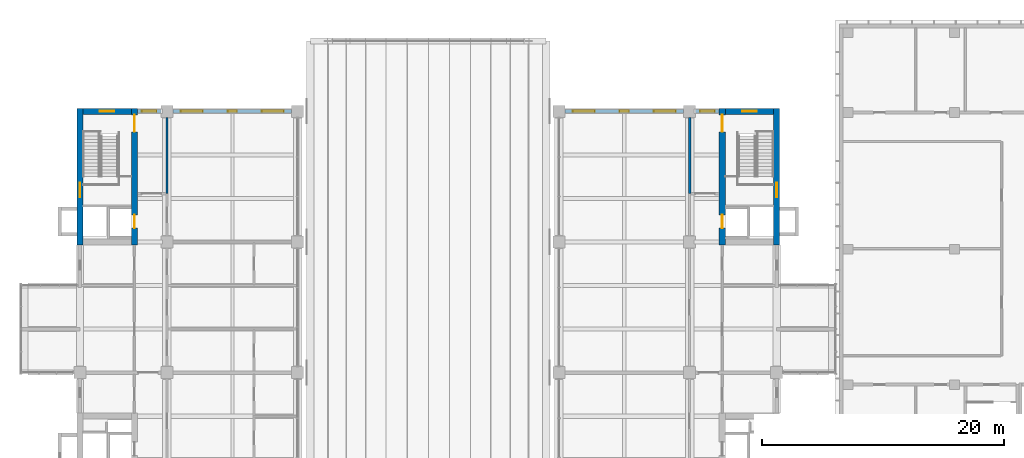
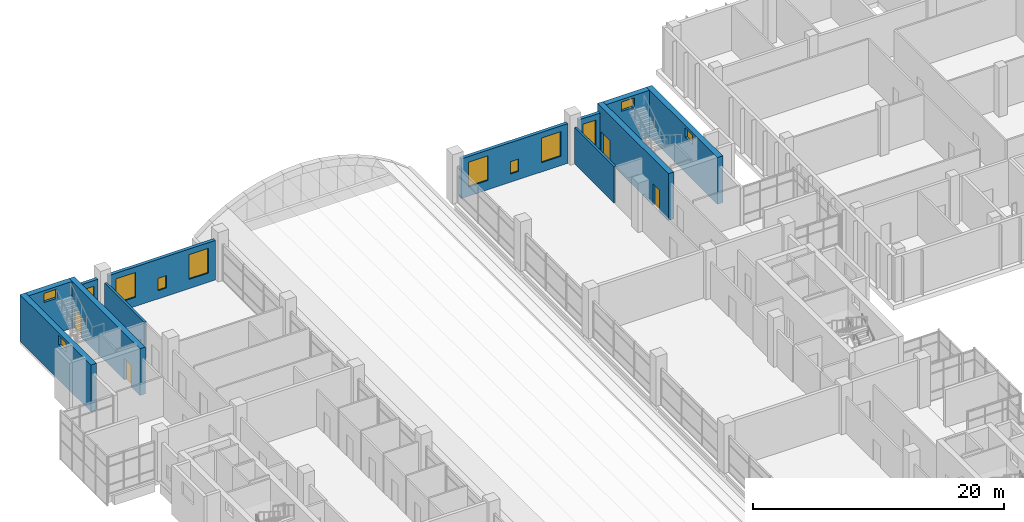
# One storey, part 37 of 45: 12 walls, 12 windows, 4 doors, 16 openings.
"""IFC4 building model written with IfcOpenShell, lengths in metres."""

from ifc_helpers import new_model, si_unit, direction, frame, frame_2d, origin, place, context, subcontext, project, spatial, rectangle, extrude, material, layer, layer_set, type_object, element, fill, save


model = new_model("IFC4")

# Units and contexts
model_context = context("Model", 3, precision=1e-05, world=origin(), true_north=direction((0.0, 1.0)))
body_context = subcontext(model_context, "Body", "Model", "MODEL_VIEW")
ifc_project = project(units=[si_unit("LENGTHUNIT", "METRE"), si_unit("AREAUNIT", "SQUARE_METRE"), si_unit("VOLUMEUNIT", "CUBIC_METRE"), si_unit("PLANEANGLEUNIT", "RADIAN"), si_unit("MASSUNIT", "GRAM", prefix="KILO")], contexts=[model_context])

# Site, building, storey
site_placement = place(None, origin())
site = spatial("IfcSite", under=ifc_project, at=site_placement, CompositionType="ELEMENT")
building_placement = place(site_placement, origin())
building = spatial("IfcBuilding", under=site, at=building_placement, Name="Basin Gate Institute", CompositionType="ELEMENT")
storey_placement = place(building_placement, frame((0.0, 0.0, 22.199951171875)))
storey = spatial("IfcBuildingStorey", under=building, at=storey_placement, Name="L04", CompositionType="ELEMENT", Elevation=22.199951171875)

# Walls
ifc_material_1 = material(Name="Fire-rated masonry", Category="masonry")
ifc_layer_1 = layer(ifc_material_1, 0.199951171875)
ifc_layer_set_1 = layer_set([ifc_layer_1], Name="Enclosure wall PW2 200 EI 60")
wall_type_1 = type_object("IfcWallType", Name="Enclosure wall PW2 200 EI 60", PredefinedType="PARTITIONING", material=ifc_layer_set_1)
for number, where, z_axis, x_axis, name in (
    (1, (68.39990234375, 93.10009765625, 0.0), (0.0, 0.0, 1.0), (0.0, 1.0, 0.0), "Smoke lobby enclosure wall PW2 L04"),
    (2, (111.60009765625, 93.10009765625, 0.0), (0.0, 0.0, 1.0), (0.0, 1.0, 0.0), "Smoke lobby enclosure wall PW2 L04"),
):
    element("IfcWall", number, at=place(storey_placement, frame(where, z_axis=z_axis, x_axis=x_axis)), inside=storey, type_object=wall_type_1, material=ifc_layer_set_1, Name=name, PredefinedType="PARTITIONING", context=body_context, shape_type="SweptSolid", body=[
        extrude(rectangle(XDim=6.2998046875, YDim=0.199951171875, at=frame_2d((3.14990234375, 0.0))), origin(), (0.0, 0.0, 1.0), 3.550048828125),
    ])

# Wall, opening, window
ifc_material_2 = material(Name="Aluminium-faced insulated panel wall", Category="aluminium")
ifc_layer_2 = layer(ifc_material_2, 0.300048828125)
ifc_layer_set_2 = layer_set([ifc_layer_2], Name="External wall EW1 EI 120")
wall_type_2 = type_object("IfcWallType", Name="External wall EW1 EI 120", PredefinedType="STANDARD", material=ifc_layer_set_2)
wall_1_placement = place(storey_placement, frame((65.949951171875, 99.89990234375, 0.0), z_axis=(0.0, 0.0, 1.0), x_axis=(1.0, 0.0, 0.0)))
wall_1 = element("IfcWall", 3, at=wall_1_placement, inside=storey, type_object=wall_type_2, material=ifc_layer_set_2, Name="External end wall W wing north L04 1", PredefinedType="STANDARD", context=body_context, shape_type="SweptSolid", body=[
    extrude(rectangle(XDim=1.949951171875, YDim=0.300048828125, at=frame_2d((0.97509765625, 0.0))), origin(), (0.0, 0.0, 1.0), 3.85009765625),
])
opening_1_placement = place(wall_1_placement, frame((0.375, 0.0, 0.89990234375)))
opening_1 = element("IfcOpeningElement", 4, at=opening_1_placement, cuts=wall_1, Name="Opening WN4", PredefinedType="OPENING", context=body_context, shape_type="SweptSolid", body=[
    extrude(rectangle(XDim=1.199951171875, YDim=2.39990234375, at=frame_2d((0.60009765625, 1.199951171875))), frame((0.0, 0.16015625, 0.0), z_axis=(0.0, -1.0, 0.0), x_axis=(1.0, 0.0, 0.0)), (0.0, 0.0, 1.0), 0.320068359375),
])
ifc_material_3 = material(Name="Aluminium-framed double glazing", Category="aluminium")
window_type_1 = type_object("IfcWindowType", Name="Corridor end window WN4", PartitioningType="SINGLE_PANEL", PredefinedType="WINDOW", material=ifc_material_3)
window_1_placement = place(opening_1_placement, origin())
window_1 = element("IfcWindow", 5, at=window_1_placement, inside=storey, type_object=window_type_1, material=ifc_material_3, Name="Corridor end window W wing N L04", OverallHeight=2.39990234375, OverallWidth=1.199951171875, PartitioningType="SINGLE_PANEL", PredefinedType="WINDOW", context=body_context, shape_type="SweptSolid", body=[
    extrude(rectangle(XDim=1.199951171875, YDim=2.39990234375, at=frame_2d((0.60009765625, 1.199951171875))), frame((0.0, 0.030029296875, 0.0), z_axis=(0.0, -1.0, 0.0), x_axis=(1.0, 0.0, 0.0)), (0.0, 0.0, 1.0), 0.06005859375),
])
fill(opening_1, window_1)

# Wall, openings, windows
wall_2_placement = place(storey_placement, frame((68.89990234375, 99.89990234375, 0.0), z_axis=(0.0, 0.0, 1.0), x_axis=(1.0, 0.0, 0.0)))
wall_2 = element("IfcWall", 6, at=wall_2_placement, inside=storey, type_object=wall_type_2, material=ifc_layer_set_2, Name="External end wall W wing north L04 2", PredefinedType="STANDARD", context=body_context, shape_type="SweptSolid", body=[
    extrude(rectangle(XDim=9.800048828125, YDim=0.300048828125, at=frame_2d((4.89990234375, 0.0))), origin(), (0.0, 0.0, 1.0), 3.85009765625),
])
opening_2_placement = place(wall_2_placement, frame((0.64990234375, 0.0, 0.89990234375)))
opening_2 = element("IfcOpeningElement", 7, at=opening_2_placement, cuts=wall_2, Name="Opening WN1", PredefinedType="OPENING", context=body_context, shape_type="SweptSolid", body=[
    extrude(rectangle(XDim=1.800048828125, YDim=2.39990234375, at=frame_2d((0.89990234375, 1.199951171875))), frame((0.0, 0.16015625, 0.0), z_axis=(0.0, -1.0, 0.0), x_axis=(1.0, 0.0, 0.0)), (0.0, 0.0, 1.0), 0.320068359375),
])
opening_3_placement = place(wall_2_placement, frame((4.52490234375, 0.0, 0.800048828125)))
opening_3 = element("IfcOpeningElement", 8, at=opening_3_placement, cuts=wall_2, Name="Opening WN3", PredefinedType="OPENING", context=body_context, shape_type="SweptSolid", body=[
    extrude(rectangle(XDim=0.75, YDim=1.199951171875, at=frame_2d((0.375, 0.60009765625))), frame((0.0, 0.16015625, 0.0), z_axis=(0.0, -1.0, 0.0), x_axis=(1.0, 0.0, 0.0)), (0.0, 0.0, 1.0), 0.320068359375),
])
opening_4_placement = place(wall_2_placement, frame((7.35009765625, 0.0, 0.89990234375)))
opening_4 = element("IfcOpeningElement", 9, at=opening_4_placement, cuts=wall_2, Name="Opening WN1", PredefinedType="OPENING", context=body_context, shape_type="SweptSolid", body=[
    extrude(rectangle(XDim=1.800048828125, YDim=2.39990234375, at=frame_2d((0.89990234375, 1.199951171875))), frame((0.0, 0.16015625, 0.0), z_axis=(0.0, -1.0, 0.0), x_axis=(1.0, 0.0, 0.0)), (0.0, 0.0, 1.0), 0.320068359375),
])
ifc_material_4 = material(Name="Aluminium-framed double glazing", Category="aluminium")
window_type_2 = type_object("IfcWindowType", Name="Emergency entry panel WN3", PartitioningType="SINGLE_PANEL", PredefinedType="WINDOW", material=ifc_material_4)
window_2_placement = place(opening_3_placement, origin())
window_2 = element("IfcWindow", 10, at=window_2_placement, inside=storey, type_object=window_type_2, material=ifc_material_4, Name="Emergency entry panel W wing end N L04 bay 2", OverallHeight=1.199951171875, OverallWidth=0.75, PartitioningType="SINGLE_PANEL", PredefinedType="WINDOW", context=body_context, shape_type="SweptSolid", body=[
    extrude(rectangle(XDim=0.75, YDim=1.199951171875, at=frame_2d((0.375, 0.60009765625))), frame((0.0, 0.030029296875, 0.0), z_axis=(0.0, -1.0, 0.0), x_axis=(1.0, 0.0, 0.0)), (0.0, 0.0, 1.0), 0.06005859375),
])
fill(opening_3, window_2)
ifc_material_5 = material(Name="Aluminium-framed double glazing", Category="aluminium")
window_type_3 = type_object("IfcWindowType", Name="Facade window WN1", PartitioningType="SINGLE_PANEL", PredefinedType="WINDOW", material=ifc_material_5)
window_3_placement = place(opening_2_placement, origin())
window_3 = element("IfcWindow", 11, at=window_3_placement, inside=storey, type_object=window_type_3, material=ifc_material_5, Name="Facade window W wing end N L04 bay 1", OverallHeight=2.39990234375, OverallWidth=1.800048828125, PartitioningType="SINGLE_PANEL", PredefinedType="WINDOW", context=body_context, shape_type="SweptSolid", body=[
    extrude(rectangle(XDim=1.800048828125, YDim=2.39990234375, at=frame_2d((0.89990234375, 1.199951171875))), frame((0.0, 0.030029296875, 0.0), z_axis=(0.0, -1.0, 0.0), x_axis=(1.0, 0.0, 0.0)), (0.0, 0.0, 1.0), 0.06005859375),
])
fill(opening_2, window_3)
window_4_placement = place(opening_4_placement, origin())
window_4 = element("IfcWindow", 12, at=window_4_placement, inside=storey, type_object=window_type_3, material=ifc_material_5, Name="Facade window W wing end N L04 bay 3", OverallHeight=2.39990234375, OverallWidth=1.800048828125, PartitioningType="SINGLE_PANEL", PredefinedType="WINDOW", context=body_context, shape_type="SweptSolid", body=[
    extrude(rectangle(XDim=1.800048828125, YDim=2.39990234375, at=frame_2d((0.89990234375, 1.199951171875))), frame((0.0, 0.030029296875, 0.0), z_axis=(0.0, -1.0, 0.0), x_axis=(1.0, 0.0, 0.0)), (0.0, 0.0, 1.0), 0.06005859375),
])
fill(opening_4, window_4)

# Wall, opening, window
wall_3_placement = place(storey_placement, frame((114.050048828125, 99.89990234375, 0.0), z_axis=(0.0, 0.0, 1.0), x_axis=(-1.0, 0.0, 0.0)))
wall_3 = element("IfcWall", 13, at=wall_3_placement, inside=storey, type_object=wall_type_2, material=ifc_layer_set_2, Name="External end wall E wing north L04 1", PredefinedType="STANDARD", context=body_context, shape_type="SweptSolid", body=[
    extrude(rectangle(XDim=1.949951171875, YDim=0.300048828125, at=frame_2d((0.97509765625, 0.0))), origin(), (0.0, 0.0, 1.0), 3.85009765625),
])
opening_5_placement = place(wall_3_placement, frame((0.375, 0.0, 0.89990234375)))
opening_5 = element("IfcOpeningElement", 14, at=opening_5_placement, cuts=wall_3, Name="Opening WN4", PredefinedType="OPENING", context=body_context, shape_type="SweptSolid", body=[
    extrude(rectangle(XDim=1.199951171875, YDim=2.39990234375, at=frame_2d((0.60009765625, 1.199951171875))), frame((0.0, 0.16015625, 0.0), z_axis=(0.0, -1.0, 0.0), x_axis=(1.0, 0.0, 0.0)), (0.0, 0.0, 1.0), 0.320068359375),
])
window_5_placement = place(opening_5_placement, origin())
window_5 = element("IfcWindow", 15, at=window_5_placement, inside=storey, type_object=window_type_1, material=ifc_material_3, Name="Corridor end window E wing N L04", OverallHeight=2.39990234375, OverallWidth=1.199951171875, PartitioningType="SINGLE_PANEL", PredefinedType="WINDOW", context=body_context, shape_type="SweptSolid", body=[
    extrude(rectangle(XDim=1.199951171875, YDim=2.39990234375, at=frame_2d((0.60009765625, 1.199951171875))), frame((0.0, 0.030029296875, 0.0), z_axis=(0.0, -1.0, 0.0), x_axis=(1.0, 0.0, 0.0)), (0.0, 0.0, 1.0), 0.06005859375),
])
fill(opening_5, window_5)

# Wall, openings, windows
wall_4_placement = place(storey_placement, frame((111.10009765625, 99.89990234375, 0.0), z_axis=(0.0, 0.0, 1.0), x_axis=(-1.0, 0.0, 0.0)))
wall_4 = element("IfcWall", 16, at=wall_4_placement, inside=storey, type_object=wall_type_2, material=ifc_layer_set_2, Name="External end wall E wing north L04 2", PredefinedType="STANDARD", context=body_context, shape_type="SweptSolid", body=[
    extrude(rectangle(XDim=9.800048828125, YDim=0.300048828125, at=frame_2d((4.89990234375, 0.0))), origin(), (0.0, 0.0, 1.0), 3.85009765625),
])
opening_6_placement = place(wall_4_placement, frame((0.64990234375, 0.0, 0.89990234375)))
opening_6 = element("IfcOpeningElement", 17, at=opening_6_placement, cuts=wall_4, Name="Opening WN1", PredefinedType="OPENING", context=body_context, shape_type="SweptSolid", body=[
    extrude(rectangle(XDim=1.800048828125, YDim=2.39990234375, at=frame_2d((0.89990234375, 1.199951171875))), frame((0.0, 0.16015625, 0.0), z_axis=(0.0, -1.0, 0.0), x_axis=(1.0, 0.0, 0.0)), (0.0, 0.0, 1.0), 0.320068359375),
])
opening_7_placement = place(wall_4_placement, frame((4.52490234375, 0.0, 0.800048828125)))
opening_7 = element("IfcOpeningElement", 18, at=opening_7_placement, cuts=wall_4, Name="Opening WN3", PredefinedType="OPENING", context=body_context, shape_type="SweptSolid", body=[
    extrude(rectangle(XDim=0.75, YDim=1.199951171875, at=frame_2d((0.375, 0.60009765625))), frame((0.0, 0.16015625, 0.0), z_axis=(0.0, -1.0, 0.0), x_axis=(1.0, 0.0, 0.0)), (0.0, 0.0, 1.0), 0.320068359375),
])
opening_8_placement = place(wall_4_placement, frame((7.35009765625, 0.0, 0.89990234375)))
opening_8 = element("IfcOpeningElement", 19, at=opening_8_placement, cuts=wall_4, Name="Opening WN1", PredefinedType="OPENING", context=body_context, shape_type="SweptSolid", body=[
    extrude(rectangle(XDim=1.800048828125, YDim=2.39990234375, at=frame_2d((0.89990234375, 1.199951171875))), frame((0.0, 0.16015625, 0.0), z_axis=(0.0, -1.0, 0.0), x_axis=(1.0, 0.0, 0.0)), (0.0, 0.0, 1.0), 0.320068359375),
])
window_6_placement = place(opening_7_placement, origin())
window_6 = element("IfcWindow", 20, at=window_6_placement, inside=storey, type_object=window_type_2, material=ifc_material_4, Name="Emergency entry panel E wing end N L04 bay 2", OverallHeight=1.199951171875, OverallWidth=0.75, PartitioningType="SINGLE_PANEL", PredefinedType="WINDOW", context=body_context, shape_type="SweptSolid", body=[
    extrude(rectangle(XDim=0.75, YDim=1.199951171875, at=frame_2d((0.375, 0.60009765625))), frame((0.0, 0.030029296875, 0.0), z_axis=(0.0, -1.0, 0.0), x_axis=(1.0, 0.0, 0.0)), (0.0, 0.0, 1.0), 0.06005859375),
])
fill(opening_7, window_6)
window_7_placement = place(opening_6_placement, origin())
window_7 = element("IfcWindow", 21, at=window_7_placement, inside=storey, type_object=window_type_3, material=ifc_material_5, Name="Facade window E wing end N L04 bay 1", OverallHeight=2.39990234375, OverallWidth=1.800048828125, PartitioningType="SINGLE_PANEL", PredefinedType="WINDOW", context=body_context, shape_type="SweptSolid", body=[
    extrude(rectangle(XDim=1.800048828125, YDim=2.39990234375, at=frame_2d((0.89990234375, 1.199951171875))), frame((0.0, 0.030029296875, 0.0), z_axis=(0.0, -1.0, 0.0), x_axis=(1.0, 0.0, 0.0)), (0.0, 0.0, 1.0), 0.06005859375),
])
fill(opening_6, window_7)
window_8_placement = place(opening_8_placement, origin())
window_8 = element("IfcWindow", 22, at=window_8_placement, inside=storey, type_object=window_type_3, material=ifc_material_5, Name="Facade window E wing end N L04 bay 3", OverallHeight=2.39990234375, OverallWidth=1.800048828125, PartitioningType="SINGLE_PANEL", PredefinedType="WINDOW", context=body_context, shape_type="SweptSolid", body=[
    extrude(rectangle(XDim=1.800048828125, YDim=2.39990234375, at=frame_2d((0.89990234375, 1.199951171875))), frame((0.0, 0.030029296875, 0.0), z_axis=(0.0, -1.0, 0.0), x_axis=(1.0, 0.0, 0.0)), (0.0, 0.0, 1.0), 0.06005859375),
])
fill(opening_8, window_8)

# Wall, opening, window
ifc_material_6 = material(Name="Concrete 60 MPa", Category="concrete")
ifc_layer_3 = layer(ifc_material_6, 0.5)
ifc_layer_set_3 = layer_set([ifc_layer_3], Name="Concrete 60 MPa")
wall_type_3 = type_object("IfcWallType", Name="Wall SW1 R120", PredefinedType="SHEAR", material=ifc_layer_set_3)
wall_5_placement = place(storey_placement, frame((61.199951171875, 88.85009765625, 0.0), z_axis=(0.0, 0.0, 1.0), x_axis=(0.0, 1.0, 0.0)))
wall_5 = element("IfcWall", 23, at=wall_5_placement, inside=storey, type_object=wall_type_3, material=ifc_layer_set_3, Name="WALL/L04/WN/L", PredefinedType="SHEAR", context=body_context, shape_type="SweptSolid", body=[
    extrude(rectangle(XDim=11.2998046875, YDim=0.5, at=frame_2d((5.64990234375, 0.0))), origin(), (0.0, 0.0, 1.0), 4.550048828125),
])
opening_9_placement = place(wall_5_placement, frame((3.93994140625, 0.0, 3.39990234375)))
opening_9 = element("IfcOpeningElement", 24, at=opening_9_placement, cuts=wall_5, Name="Opening WT2", PredefinedType="OPENING", context=body_context, shape_type="SweptSolid", body=[
    extrude(rectangle(XDim=1.199951171875, YDim=0.89990234375, at=frame_2d((0.60009765625, 0.449951171875))), frame((0.0, 0.260009765625, 0.0), z_axis=(0.0, -1.0, 0.0), x_axis=(1.0, 0.0, 0.0)), (0.0, 0.0, 1.0), 0.52001953125),
])
ifc_material_7 = material(Name="Fire-resistant glazing in steel-free frame", Category="steel")
window_type_4 = type_object("IfcWindowType", Name="Rated stair window EI 120 WT2", PartitioningType="SINGLE_PANEL", PredefinedType="WINDOW", material=ifc_material_7)
window_9_placement = place(opening_9_placement, origin())
window_9 = element("IfcWindow", 25, at=window_9_placement, inside=storey, type_object=window_type_4, material=ifc_material_7, Name="Rated stair window EI 120 WN landing L04", OverallHeight=0.89990234375, OverallWidth=1.199951171875, PartitioningType="SINGLE_PANEL", PredefinedType="WINDOW", context=body_context, shape_type="SweptSolid", body=[
    extrude(rectangle(XDim=1.199951171875, YDim=0.89990234375, at=frame_2d((0.60009765625, 0.449951171875))), frame((0.0, 0.030029296875, 0.0), z_axis=(0.0, -1.0, 0.0), x_axis=(1.0, 0.0, 0.0)), (0.0, 0.0, 1.0), 0.06005859375),
])
fill(opening_9, window_9)

# Wall, openings, doors
wall_6_placement = place(storey_placement, frame((65.699951171875, 88.85009765625, 0.0), z_axis=(0.0, 0.0, 1.0), x_axis=(0.0, 1.0, 0.0)))
wall_6 = element("IfcWall", 26, at=wall_6_placement, inside=storey, type_object=wall_type_3, material=ifc_layer_set_3, Name="WALL/L04/WN/C", PredefinedType="SHEAR", context=body_context, shape_type="SweptSolid", body=[
    extrude(rectangle(XDim=11.2998046875, YDim=0.5, at=frame_2d((5.64990234375, 0.0))), origin(), (0.0, 0.0, 1.0), 4.550048828125),
])
opening_10_placement = place(wall_6_placement, frame((9.35009765625, 0.0, 0.0)))
opening_10 = element("IfcOpeningElement", 27, at=opening_10_placement, cuts=wall_6, Name="Opening DS027", PredefinedType="OPENING", context=body_context, shape_type="SweptSolid", body=[
    extrude(rectangle(XDim=1.39990234375, YDim=2.10009765625, at=frame_2d((0.699951171875, 1.050048828125))), frame((0.0, 0.260009765625, 0.0), z_axis=(0.0, -1.0, 0.0), x_axis=(1.0, 0.0, 0.0)), (0.0, 0.0, 1.0), 0.52001953125),
])
opening_11_placement = place(wall_6_placement, frame((1.39990234375, 0.0, 0.0)))
opening_11 = element("IfcOpeningElement", 28, at=opening_11_placement, cuts=wall_6, Name="Opening LD059", PredefinedType="OPENING", context=body_context, shape_type="SweptSolid", body=[
    extrude(rectangle(XDim=1.10009765625, YDim=2.10009765625, at=frame_2d((0.550048828125, 1.050048828125))), frame((0.0, 0.260009765625, 0.0), z_axis=(0.0, -1.0, 0.0), x_axis=(1.0, 0.0, 0.0)), (0.0, 0.0, 1.0), 0.52001953125),
])
ifc_material_8 = material(Name="Steel fire door", Category="steel")
door_type_1 = type_object("IfcDoorType", Name="FD30 Stair enclosure door DS", OperationType="DOUBLE_DOOR_SINGLE_SWING", PredefinedType="DOOR", material=ifc_material_8)
door_1_placement = place(opening_10_placement, origin())
door_1 = element("IfcDoor", 29, at=door_1_placement, inside=storey, type_object=door_type_1, material=ifc_material_8, Name="Stair enclosure door ST-WN L04", OperationType="DOUBLE_DOOR_SINGLE_SWING", OverallHeight=2.10009765625, OverallWidth=1.39990234375, PredefinedType="DOOR", context=body_context, shape_type="SweptSolid", body=[
    extrude(rectangle(XDim=1.39990234375, YDim=2.10009765625, at=frame_2d((0.699951171875, 1.050048828125))), frame((0.0, 0.02490234375, 0.0), z_axis=(0.0, -1.0, 0.0), x_axis=(1.0, 0.0, 0.0)), (0.0, 0.0, 1.0), 0.050048828125),
])
fill(opening_10, door_1)
ifc_material_9 = material(Name="Stainless steel", Category="steel")
door_type_2 = type_object("IfcDoorType", Name="FD60 Lift landing door LD", OperationType="SLIDING_TO_LEFT", PredefinedType="DOOR", material=ifc_material_9)
door_2_placement = place(opening_11_placement, origin())
door_2 = element("IfcDoor", 30, at=door_2_placement, inside=storey, type_object=door_type_2, material=ifc_material_9, Name="Lift landing door LP3 L04", OperationType="SLIDING_TO_LEFT", OverallHeight=2.10009765625, OverallWidth=1.10009765625, PredefinedType="DOOR", context=body_context, shape_type="SweptSolid", body=[
    extrude(rectangle(XDim=1.10009765625, YDim=2.10009765625, at=frame_2d((0.550048828125, 1.050048828125))), frame((0.0, 0.02490234375, 0.0), z_axis=(0.0, -1.0, 0.0), x_axis=(1.0, 0.0, 0.0)), (0.0, 0.0, 1.0), 0.050048828125),
])
fill(opening_11, door_2)

# Wall, opening, window
wall_7_placement = place(storey_placement, frame((61.449951171875, 99.89990234375, 0.0), z_axis=(0.0, 0.0, 1.0), x_axis=(1.0, 0.0, 0.0)))
wall_7 = element("IfcWall", 31, at=wall_7_placement, inside=storey, type_object=wall_type_3, material=ifc_layer_set_3, Name="WALL/L04/WN/N", PredefinedType="SHEAR", context=body_context, shape_type="SweptSolid", body=[
    extrude(rectangle(XDim=4.0, YDim=0.5, at=frame_2d((2.0, 0.0))), origin(), (0.0, 0.0, 1.0), 4.550048828125),
])
opening_12_placement = place(wall_7_placement, frame((1.39990234375, 0.0, 3.39990234375)))
opening_12 = element("IfcOpeningElement", 32, at=opening_12_placement, cuts=wall_7, Name="Opening WT2", PredefinedType="OPENING", context=body_context, shape_type="SweptSolid", body=[
    extrude(rectangle(XDim=1.199951171875, YDim=0.89990234375, at=frame_2d((0.60009765625, 0.449951171875))), frame((0.0, 0.260009765625, 0.0), z_axis=(0.0, -1.0, 0.0), x_axis=(1.0, 0.0, 0.0)), (0.0, 0.0, 1.0), 0.52001953125),
])
window_10_placement = place(opening_12_placement, origin())
window_10 = element("IfcWindow", 33, at=window_10_placement, inside=storey, type_object=window_type_4, material=ifc_material_7, Name="Rated stair window EI 120 WN end L04", OverallHeight=0.89990234375, OverallWidth=1.199951171875, PartitioningType="SINGLE_PANEL", PredefinedType="WINDOW", context=body_context, shape_type="SweptSolid", body=[
    extrude(rectangle(XDim=1.199951171875, YDim=0.89990234375, at=frame_2d((0.60009765625, 0.449951171875))), frame((0.0, 0.030029296875, 0.0), z_axis=(0.0, -1.0, 0.0), x_axis=(1.0, 0.0, 0.0)), (0.0, 0.0, 1.0), 0.06005859375),
])
fill(opening_12, window_10)

wall_8_placement = place(storey_placement, frame((118.800048828125, 88.85009765625, 0.0), z_axis=(0.0, 0.0, 1.0), x_axis=(0.0, 1.0, 0.0)))
wall_8 = element("IfcWall", 34, at=wall_8_placement, inside=storey, type_object=wall_type_3, material=ifc_layer_set_3, Name="WALL/L04/EN/L", PredefinedType="SHEAR", context=body_context, shape_type="SweptSolid", body=[
    extrude(rectangle(XDim=11.2998046875, YDim=0.5, at=frame_2d((5.64990234375, 0.0))), origin(), (0.0, 0.0, 1.0), 4.550048828125),
])
opening_13_placement = place(wall_8_placement, frame((3.93994140625, 0.0, 3.39990234375)))
opening_13 = element("IfcOpeningElement", 35, at=opening_13_placement, cuts=wall_8, Name="Opening WT2", PredefinedType="OPENING", context=body_context, shape_type="SweptSolid", body=[
    extrude(rectangle(XDim=1.199951171875, YDim=0.89990234375, at=frame_2d((0.60009765625, 0.449951171875))), frame((0.0, 0.260009765625, 0.0), z_axis=(0.0, -1.0, 0.0), x_axis=(1.0, 0.0, 0.0)), (0.0, 0.0, 1.0), 0.52001953125),
])
window_11_placement = place(opening_13_placement, origin())
window_11 = element("IfcWindow", 36, at=window_11_placement, inside=storey, type_object=window_type_4, material=ifc_material_7, Name="Rated stair window EI 120 EN landing L04", OverallHeight=0.89990234375, OverallWidth=1.199951171875, PartitioningType="SINGLE_PANEL", PredefinedType="WINDOW", context=body_context, shape_type="SweptSolid", body=[
    extrude(rectangle(XDim=1.199951171875, YDim=0.89990234375, at=frame_2d((0.60009765625, 0.449951171875))), frame((0.0, 0.030029296875, 0.0), z_axis=(0.0, -1.0, 0.0), x_axis=(1.0, 0.0, 0.0)), (0.0, 0.0, 1.0), 0.06005859375),
])
fill(opening_13, window_11)

# Wall, openings, doors
wall_9_placement = place(storey_placement, frame((114.300048828125, 88.85009765625, 0.0), z_axis=(0.0, 0.0, 1.0), x_axis=(0.0, 1.0, 0.0)))
wall_9 = element("IfcWall", 37, at=wall_9_placement, inside=storey, type_object=wall_type_3, material=ifc_layer_set_3, Name="WALL/L04/EN/C", PredefinedType="SHEAR", context=body_context, shape_type="SweptSolid", body=[
    extrude(rectangle(XDim=11.2998046875, YDim=0.5, at=frame_2d((5.64990234375, 0.0))), origin(), (0.0, 0.0, 1.0), 4.550048828125),
])
opening_14_placement = place(wall_9_placement, frame((9.35009765625, 0.0, 0.0)))
opening_14 = element("IfcOpeningElement", 38, at=opening_14_placement, cuts=wall_9, Name="Opening DS030", PredefinedType="OPENING", context=body_context, shape_type="SweptSolid", body=[
    extrude(rectangle(XDim=1.39990234375, YDim=2.10009765625, at=frame_2d((0.699951171875, 1.050048828125))), frame((0.0, 0.260009765625, 0.0), z_axis=(0.0, -1.0, 0.0), x_axis=(1.0, 0.0, 0.0)), (0.0, 0.0, 1.0), 0.52001953125),
])
opening_15_placement = place(wall_9_placement, frame((1.39990234375, 0.0, 0.0)))
opening_15 = element("IfcOpeningElement", 39, at=opening_15_placement, cuts=wall_9, Name="Opening LD110", PredefinedType="OPENING", context=body_context, shape_type="SweptSolid", body=[
    extrude(rectangle(XDim=1.10009765625, YDim=2.10009765625, at=frame_2d((0.550048828125, 1.050048828125))), frame((0.0, 0.260009765625, 0.0), z_axis=(0.0, -1.0, 0.0), x_axis=(1.0, 0.0, 0.0)), (0.0, 0.0, 1.0), 0.52001953125),
])
door_3_placement = place(opening_14_placement, frame((1.39990234375, 0.0, 0.0), z_axis=(0.0, 0.0, 1.0), x_axis=(-1.0, 0.0, 0.0)))
door_3 = element("IfcDoor", 40, at=door_3_placement, inside=storey, type_object=door_type_1, material=ifc_material_8, Name="Stair enclosure door ST-EN L04", OperationType="DOUBLE_DOOR_SINGLE_SWING", OverallHeight=2.10009765625, OverallWidth=1.39990234375, PredefinedType="DOOR", context=body_context, shape_type="SweptSolid", body=[
    extrude(rectangle(XDim=1.39990234375, YDim=2.10009765625, at=frame_2d((0.699951171875, 1.050048828125))), frame((0.0, 0.02490234375, 0.0), z_axis=(0.0, -1.0, 0.0), x_axis=(1.0, 0.0, 0.0)), (0.0, 0.0, 1.0), 0.050048828125),
])
fill(opening_14, door_3)
door_4_placement = place(opening_15_placement, origin())
door_4 = element("IfcDoor", 41, at=door_4_placement, inside=storey, type_object=door_type_2, material=ifc_material_9, Name="Lift landing door LP6 L04", OperationType="SLIDING_TO_LEFT", OverallHeight=2.10009765625, OverallWidth=1.10009765625, PredefinedType="DOOR", context=body_context, shape_type="SweptSolid", body=[
    extrude(rectangle(XDim=1.10009765625, YDim=2.10009765625, at=frame_2d((0.550048828125, 1.050048828125))), frame((0.0, 0.02490234375, 0.0), z_axis=(0.0, -1.0, 0.0), x_axis=(1.0, 0.0, 0.0)), (0.0, 0.0, 1.0), 0.050048828125),
])
fill(opening_15, door_4)

# Wall, opening, window
wall_10_placement = place(storey_placement, frame((118.550048828125, 99.89990234375, 0.0), z_axis=(0.0, 0.0, 1.0), x_axis=(-1.0, 0.0, 0.0)))
wall_10 = element("IfcWall", 42, at=wall_10_placement, inside=storey, type_object=wall_type_3, material=ifc_layer_set_3, Name="WALL/L04/EN/N", PredefinedType="SHEAR", context=body_context, shape_type="SweptSolid", body=[
    extrude(rectangle(XDim=4.0, YDim=0.5, at=frame_2d((2.0, 0.0))), origin(), (0.0, 0.0, 1.0), 4.550048828125),
])
opening_16_placement = place(wall_10_placement, frame((1.39990234375, 0.0, 3.39990234375)))
opening_16 = element("IfcOpeningElement", 43, at=opening_16_placement, cuts=wall_10, Name="Opening WT2", PredefinedType="OPENING", context=body_context, shape_type="SweptSolid", body=[
    extrude(rectangle(XDim=1.199951171875, YDim=0.89990234375, at=frame_2d((0.60009765625, 0.449951171875))), frame((0.0, 0.260009765625, 0.0), z_axis=(0.0, -1.0, 0.0), x_axis=(1.0, 0.0, 0.0)), (0.0, 0.0, 1.0), 0.52001953125),
])
window_12_placement = place(opening_16_placement, origin())
window_12 = element("IfcWindow", 44, at=window_12_placement, inside=storey, type_object=window_type_4, material=ifc_material_7, Name="Rated stair window EI 120 EN end L04", OverallHeight=0.89990234375, OverallWidth=1.199951171875, PartitioningType="SINGLE_PANEL", PredefinedType="WINDOW", context=body_context, shape_type="SweptSolid", body=[
    extrude(rectangle(XDim=1.199951171875, YDim=0.89990234375, at=frame_2d((0.60009765625, 0.449951171875))), frame((0.0, 0.030029296875, 0.0), z_axis=(0.0, -1.0, 0.0), x_axis=(1.0, 0.0, 0.0)), (0.0, 0.0, 1.0), 0.06005859375),
])
fill(opening_16, window_12)

save(model, "model.ifc")
